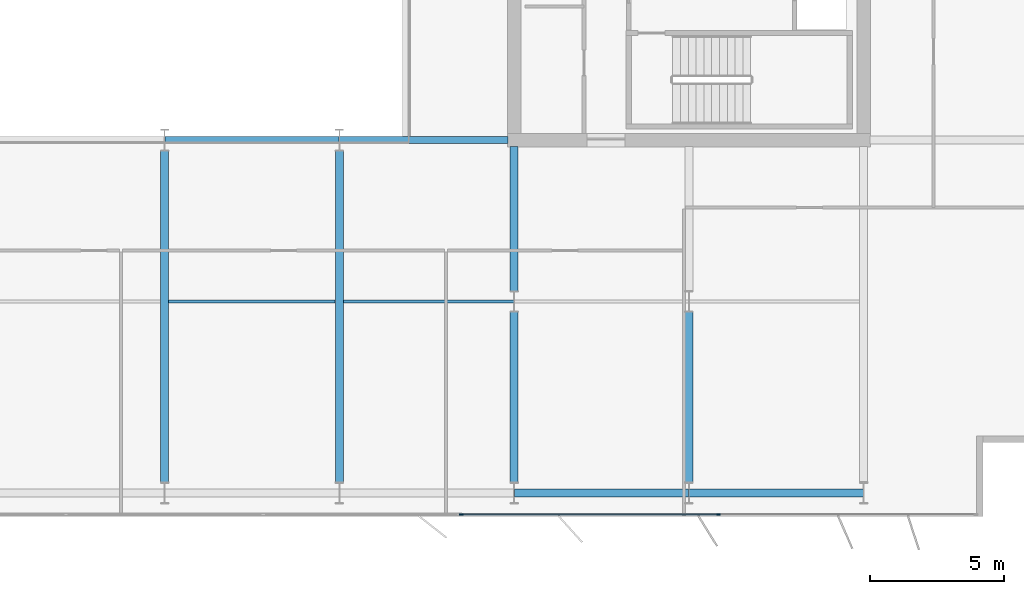
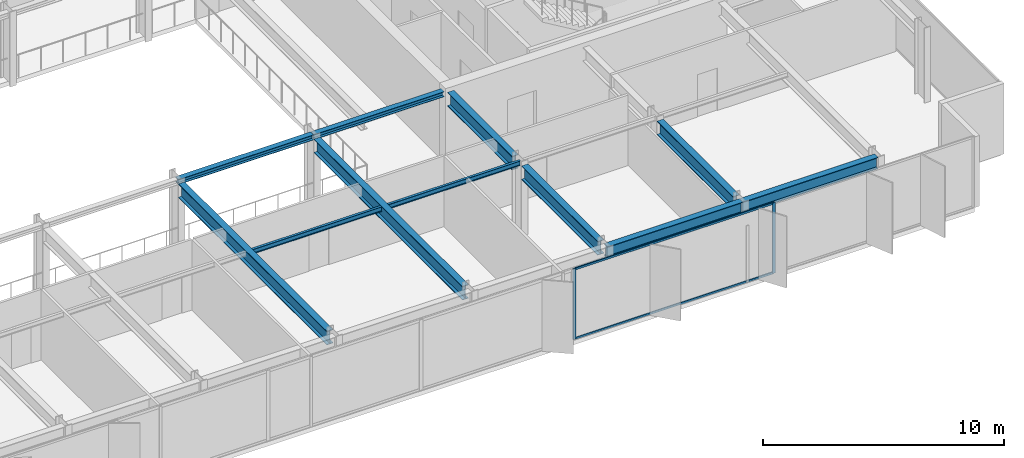
# One storey, part 7 of 23: 11 beams, 4 members, 1 element without a shape of its own.
"""IFC4 building model written with IfcOpenShell, lengths in metres."""

from ifc_helpers import new_model, si_unit, direction, frame, origin, origin_2d, place, context, subcontext, project, spatial, rectangle, i_section, extrude, material, layer, layer_set, material_profile, profile_set, type_object, element, aggregate, save


model = new_model("IFC4")

# Units and contexts
model_context = context("Model", 3, precision=1e-05, world=origin(), true_north=direction((0.0, 1.0)))
body_context = subcontext(model_context, "Body", "Model", "MODEL_VIEW")
ifc_project = project(units=[si_unit("LENGTHUNIT", "METRE"), si_unit("AREAUNIT", "SQUARE_METRE"), si_unit("VOLUMEUNIT", "CUBIC_METRE"), si_unit("PLANEANGLEUNIT", "RADIAN"), si_unit("MASSUNIT", "GRAM", prefix="KILO")], contexts=[model_context])

# Site, building, storey
site_placement = place(None, origin())
site = spatial("IfcSite", under=ifc_project, at=site_placement, CompositionType="ELEMENT")
building_placement = place(site_placement, origin())
building = spatial("IfcBuilding", under=site, at=building_placement, Name="Putna Gate Headquarters", CompositionType="ELEMENT")
storey_placement = place(building_placement, frame((0.0, 0.0, 210.0)))
storey = spatial("IfcBuildingStorey", under=building, at=storey_placement, Name="L52", CompositionType="ELEMENT", Elevation=210.0)

# Beams
ifc_material_1 = material(Name="Steel S355J2", Category="steel")
ifc_material_profile_1 = material_profile(ifc_material_1, i_section(OverallWidth=0.260009765625, OverallDepth=0.260009765625, WebThickness=0.010009765625, FlangeThickness=0.017578125, at=origin_2d()), Name="Steel S355J2")
ifc_profile_set_1 = profile_set([ifc_material_profile_1], Name="Steel S355J2")
beam_type_1 = type_object("IfcBeamType", Name="BM-ATRIUM-HEB260", PredefinedType="BEAM", material=ifc_profile_set_1)
beam_1_placement = place(storey_placement, frame((39.006103515625, 19.0, 3.449951171875), z_axis=(1.0, 0.0, 0.0), x_axis=(0.0, 1.0, 0.0)))
element("IfcBeam", 1, at=beam_1_placement, inside=storey, type_object=beam_type_1, Name="L52 Atrium Edge Beam AS3", PredefinedType="BEAM", context=body_context, shape_type="SweptSolid", body=[
    extrude(i_section(OverallWidth=0.260009765625, OverallDepth=0.260009765625, WebThickness=0.010009765625, FlangeThickness=0.017578125, at=origin_2d()), origin(), (0.0, 0.0, 1.0), 6.48779296875),
])
beam_2_placement = place(storey_placement, frame((45.506103515625, 19.0, 3.449951171875), z_axis=(1.0, 0.0, 0.0), x_axis=(0.0, 1.0, 0.0)))
element("IfcBeam", 2, at=beam_2_placement, inside=storey, type_object=beam_type_1, Name="L52 Atrium Edge Beam AS4", PredefinedType="BEAM", context=body_context, shape_type="SweptSolid", body=[
    extrude(i_section(OverallWidth=0.260009765625, OverallDepth=0.260009765625, WebThickness=0.010009765625, FlangeThickness=0.017578125, at=origin_2d()), origin(), (0.0, 0.0, 1.0), 6.2587890625),
])
ifc_material_profile_2 = material_profile(ifc_material_1, i_section(OverallWidth=0.300048828125, OverallDepth=0.699951171875, WebThickness=0.01708984375, FlangeThickness=0.031982421875, at=origin_2d()), Name="Steel S355J2")
ifc_profile_set_2 = profile_set([ifc_material_profile_2], Name="Steel S355J2")
beam_type_2 = type_object("IfcBeamType", Name="BM-GIRD-B-HEB700", PredefinedType="USERDEFINED", material=ifc_profile_set_2)
for number, where, z_axis, x_axis, name in (
    (3, (39.0, 6.27490234375, 3.22998046875), (0.0, 1.0, 0.0), (-1.0, 0.0, 0.0), "L52 South Primary Girder X39"),
    (4, (45.5, 6.27490234375, 3.22998046875), (0.0, 1.0, 0.0), (-1.0, 0.0, 0.0), "L52 South Primary Girder X45"),
):
    element("IfcBeam", number, at=place(storey_placement, frame(where, z_axis=z_axis, x_axis=x_axis)), inside=storey, type_object=beam_type_2, Name=name, ObjectType="GIRDER", PredefinedType="USERDEFINED", context=body_context, shape_type="SweptSolid", body=[
        extrude(i_section(OverallWidth=0.300048828125, OverallDepth=0.699951171875, WebThickness=0.01708984375, FlangeThickness=0.031982421875, at=origin_2d()), origin(), (0.0, 0.0, 1.0), 12.330078125),
    ])
beam_3_placement = place(storey_placement, frame((52.0, 6.27490234375, 3.22998046875), z_axis=(0.0, 1.0, 0.0), x_axis=(-1.0, 0.0, 0.0)))
element("IfcBeam", 5, at=beam_3_placement, inside=storey, type_object=beam_type_2, Name="L52 South Primary Girder X52-1", ObjectType="GIRDER", PredefinedType="USERDEFINED", context=body_context, shape_type="SweptSolid", body=[
    extrude(i_section(OverallWidth=0.300048828125, OverallDepth=0.699951171875, WebThickness=0.01708984375, FlangeThickness=0.031982421875, at=origin_2d()), origin(), (0.0, 0.0, 1.0), 6.330078125),
])
beam_4_placement = place(storey_placement, frame((52.0, 13.39501953125, 3.22998046875), z_axis=(0.0, 1.0, 0.0), x_axis=(-1.0, 0.0, 0.0)))
element("IfcBeam", 6, at=beam_4_placement, inside=storey, type_object=beam_type_2, Name="L52 South Primary Girder X52-2", ObjectType="GIRDER", PredefinedType="USERDEFINED", context=body_context, shape_type="SweptSolid", body=[
    extrude(i_section(OverallWidth=0.300048828125, OverallDepth=0.699951171875, WebThickness=0.01708984375, FlangeThickness=0.031982421875, at=origin_2d()), origin(), (0.0, 0.0, 1.0), 5.369873046875),
])
beam_5_placement = place(storey_placement, frame((58.5, 6.27490234375, 3.22998046875), z_axis=(0.0, 1.0, 0.0), x_axis=(-1.0, 0.0, 0.0)))
element("IfcBeam", 7, at=beam_5_placement, inside=storey, type_object=beam_type_2, Name="L52 South Primary Girder X58-1", ObjectType="GIRDER", PredefinedType="USERDEFINED", context=body_context, shape_type="SweptSolid", body=[
    extrude(i_section(OverallWidth=0.300048828125, OverallDepth=0.699951171875, WebThickness=0.01708984375, FlangeThickness=0.031982421875, at=origin_2d()), origin(), (0.0, 0.0, 1.0), 6.330078125),
])
ifc_material_profile_3 = material_profile(ifc_material_1, i_section(OverallWidth=0.1201171875, OverallDepth=0.239990234375, WebThickness=0.006103515625, FlangeThickness=0.009765625, at=origin_2d()), Name="Steel S355J2")
ifc_profile_set_3 = profile_set([ifc_material_profile_3], Name="Steel S355J2")
beam_type_3 = type_object("IfcBeamType", Name="BM-SEC-Z4-IPE240", PredefinedType="JOIST", material=ifc_profile_set_3)
beam_6_placement = place(storey_placement, frame((39.154052734375, 13.0, 3.4599609375), z_axis=(1.0, 0.0, 0.0), x_axis=(0.0, 1.0, 0.0)))
element("IfcBeam", 8, at=beam_6_placement, inside=storey, type_object=beam_type_3, Name="L52 South Secondary Beam 5", PredefinedType="JOIST", context=body_context, shape_type="SweptSolid", body=[
    extrude(i_section(OverallWidth=0.1201171875, OverallDepth=0.239990234375, WebThickness=0.006103515625, FlangeThickness=0.009765625, at=origin_2d()), origin(), (0.0, 0.0, 1.0), 6.19189453125),
])
beam_7_placement = place(storey_placement, frame((45.654052734375, 13.0, 3.4599609375), z_axis=(1.0, 0.0, 0.0), x_axis=(0.0, 1.0, 0.0)))
element("IfcBeam", 9, at=beam_7_placement, inside=storey, type_object=beam_type_3, Name="L52 South Secondary Beam 6", PredefinedType="JOIST", context=body_context, shape_type="SweptSolid", body=[
    extrude(i_section(OverallWidth=0.1201171875, OverallDepth=0.239990234375, WebThickness=0.006103515625, FlangeThickness=0.009765625, at=origin_2d()), origin(), (0.0, 0.0, 1.0), 6.33984375),
])
ifc_material_profile_4 = material_profile(ifc_material_1, i_section(OverallWidth=0.300048828125, OverallDepth=0.590087890625, WebThickness=0.012939453125, FlangeThickness=0.02490234375, at=origin_2d()), Name="Steel S355J2")
ifc_profile_set_4 = profile_set([ifc_material_profile_4], Name="Steel S355J2")
beam_type_4 = type_object("IfcBeamType", Name="BM-SPAN-Z4-HEA600", PredefinedType="SPANDREL", material=ifc_profile_set_4)
for number, where, z_axis, x_axis, name in (
    (10, (52.006103515625, 5.8798828125, 3.284912109375), (1.0, 0.0, 0.0), (0.0, 1.0, 0.0), "L52 S Perimeter Spandrel 7"),
    (11, (58.506103515625, 5.8798828125, 3.284912109375), (1.0, 0.0, 0.0), (0.0, 1.0, 0.0), "L52 S Perimeter Spandrel 8"),
):
    element("IfcBeam", number, at=place(storey_placement, frame(where, z_axis=z_axis, x_axis=x_axis)), inside=storey, type_object=beam_type_4, Name=name, PredefinedType="SPANDREL", context=body_context, shape_type="SweptSolid", body=[
        extrude(i_section(OverallWidth=0.300048828125, OverallDepth=0.590087890625, WebThickness=0.012939453125, FlangeThickness=0.02490234375, at=origin_2d()), origin(), (0.0, 0.0, 1.0), 6.48779296875),
    ])

# Curtain wall, members
ifc_material_2 = material(Name="Anodised bronze aluminium curtain wall", Category="aluminium")
ifc_layer = layer(ifc_material_2, 0.139892578125)
ifc_layer_set = layer_set([ifc_layer], Name="Anodised bronze aluminium curtain wall")
curtain_wall_type = type_object("IfcCurtainWallType", Name="CW-SYS-Z4", PredefinedType="USERDEFINED", material=ifc_layer_set)
curtain_wall_placement = place(storey_placement, origin())
curtain_wall = element("IfcCurtainWall", 12, at=curtain_wall_placement, inside=storey, type_object=curtain_wall_type, Name="L52 South East Curtain Wall", ObjectType="STICK CURTAIN WALL", PredefinedType="USERDEFINED")
ifc_material_3 = material(Name="Anodised bronze aluminium EN AW-6060", Category="aluminium")
ifc_material_profile_5 = material_profile(ifc_material_3, rectangle(XDim=0.06005859375, YDim=0.139892578125, at=origin_2d()), Name="Anodised bronze aluminium EN AW-6060")
ifc_profile_set_5 = profile_set([ifc_material_profile_5], Name="Anodised bronze aluminium EN AW-6060")
member_type_1 = type_object("IfcMemberType", Name="MULL-CWM-4", PredefinedType="MULLION", material=ifc_profile_set_5)
member_1_placement = place(storey_placement, frame((50.030029296875, 5.080078125, 0.0), z_axis=(0.0, 0.0, 1.0), x_axis=(0.0, 1.0, 0.0)))
member_1 = element("IfcMember", 13, at=member_1_placement, type_object=member_type_1, Name="CWS-4 mullion 1", PredefinedType="MULLION", context=body_context, shape_type="SweptSolid", body=[
    extrude(rectangle(XDim=0.06005859375, YDim=0.139892578125, at=origin_2d()), origin(), (0.0, 0.0, 1.0), 3.580078125),
])
member_2_placement = place(storey_placement, frame((59.60009765625, 5.080078125, 0.0), z_axis=(0.0, 0.0, 1.0), x_axis=(0.0, 1.0, 0.0)))
member_2 = element("IfcMember", 14, at=member_2_placement, type_object=member_type_1, Name="CWS-4 mullion 2", PredefinedType="MULLION", context=body_context, shape_type="SweptSolid", body=[
    extrude(rectangle(XDim=0.06005859375, YDim=0.139892578125, at=origin_2d()), origin(), (0.0, 0.0, 1.0), 3.580078125),
])
ifc_material_profile_6 = material_profile(ifc_material_3, rectangle(XDim=0.06005859375, YDim=0.10009765625, at=origin_2d()), Name="Anodised bronze aluminium EN AW-6060")
ifc_profile_set_6 = profile_set([ifc_material_profile_6], Name="Anodised bronze aluminium EN AW-6060")
member_type_2 = type_object("IfcMemberType", Name="TRAN-CWT-4", PredefinedType="USERDEFINED", material=ifc_profile_set_6)
member_3_placement = place(storey_placement, frame((50.06005859375, 5.080078125, 0.030029296875), z_axis=(1.0, 0.0, 0.0), x_axis=(0.0, 1.0, 0.0)))
member_3 = element("IfcMember", 15, at=member_3_placement, type_object=member_type_2, Name="CWS-4 transom 1.1", ObjectType="TRANSOM", PredefinedType="USERDEFINED", context=body_context, shape_type="SweptSolid", body=[
    extrude(rectangle(XDim=0.06005859375, YDim=0.10009765625, at=origin_2d()), origin(), (0.0, 0.0, 1.0), 9.510009765625),
])
member_4_placement = place(storey_placement, frame((50.06005859375, 5.080078125, 3.550048828125), z_axis=(1.0, 0.0, 0.0), x_axis=(0.0, 1.0, 0.0)))
member_4 = element("IfcMember", 16, at=member_4_placement, type_object=member_type_2, Name="CWS-4 transom 1.2", ObjectType="TRANSOM", PredefinedType="USERDEFINED", context=body_context, shape_type="SweptSolid", body=[
    extrude(rectangle(XDim=0.06005859375, YDim=0.10009765625, at=origin_2d()), origin(), (0.0, 0.0, 1.0), 9.510009765625),
])
aggregate(curtain_wall, [member_1, member_2, member_3, member_4])

save(model, "model.ifc")
